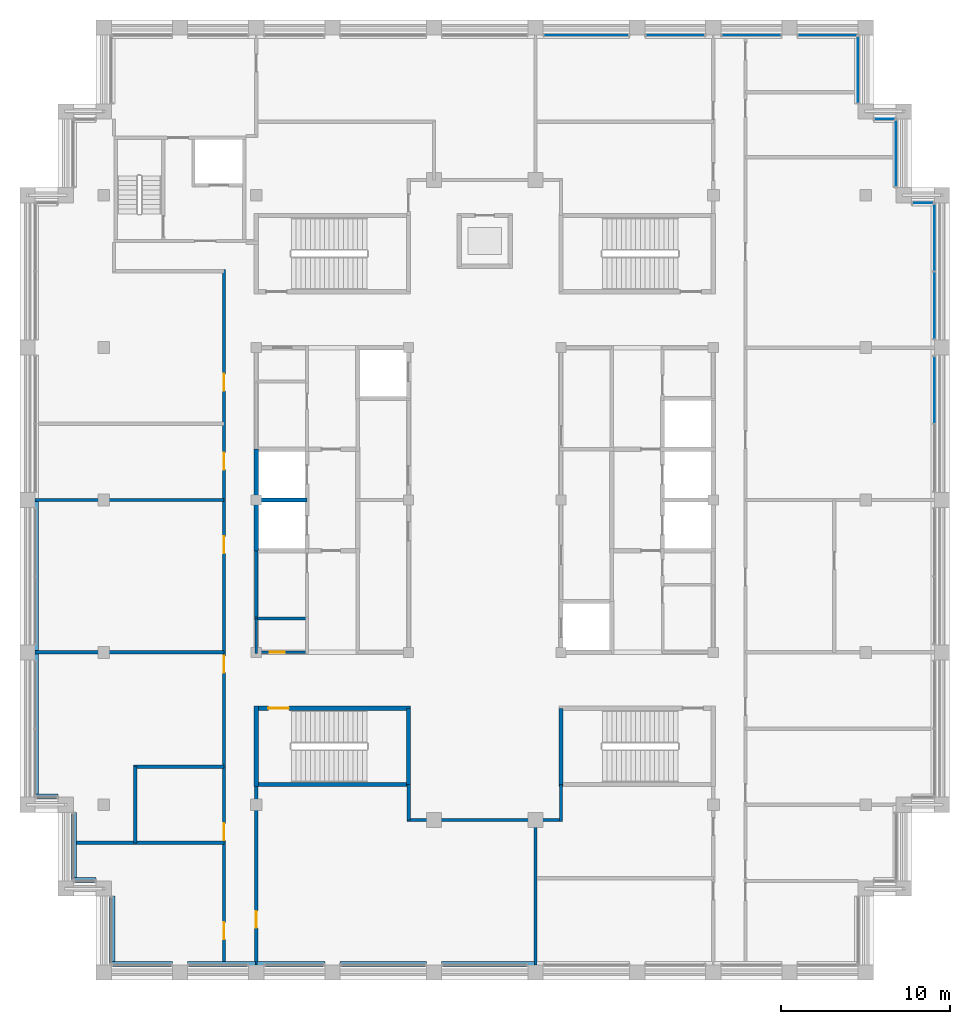
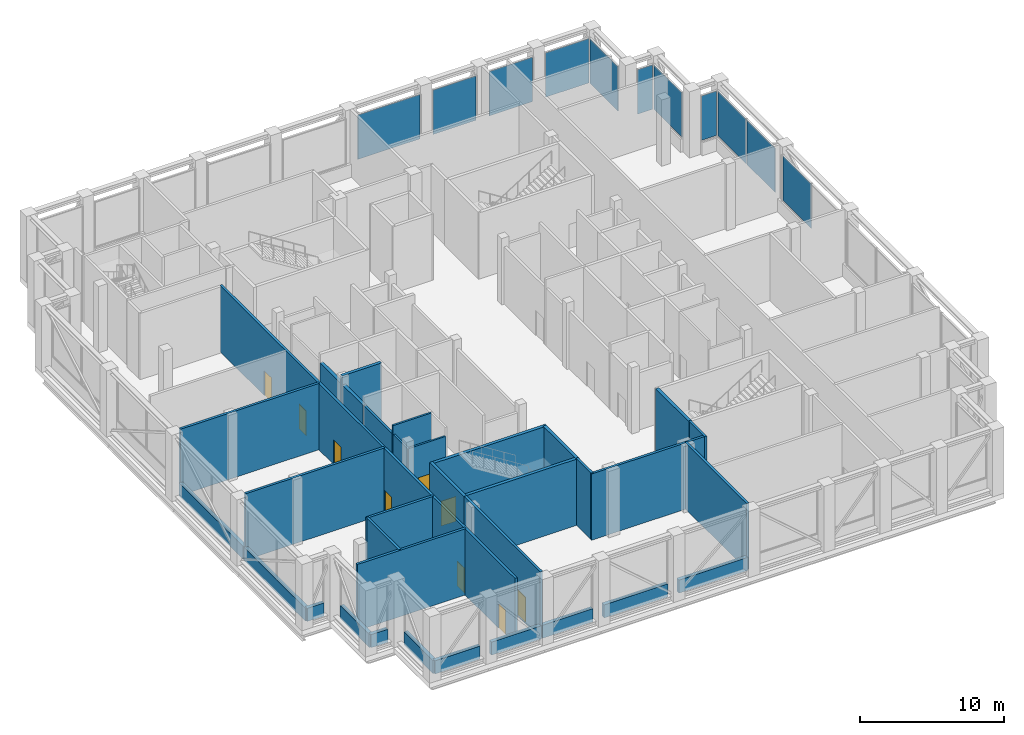
# One storey, part 11 of 17: 33 walls, 11 plates, 9 doors, 9 openings, 10 elements without a shape of their own.
"""IFC4 building model written with IfcOpenShell, lengths in metres."""

from ifc_helpers import new_model, si_unit, direction, frame, frame_2d, origin, origin_2d, place, context, subcontext, project, spatial, rectangle, extrude, material, layer, layer_set, type_object, element, fill, aggregate, save


model = new_model("IFC4")

# Units and contexts
model_context = context("Model", 3, precision=1e-05, world=origin(), true_north=direction((0.0, 1.0)))
body_context = subcontext(model_context, "Body", "Model", "MODEL_VIEW")
ifc_project = project(units=[si_unit("LENGTHUNIT", "METRE"), si_unit("AREAUNIT", "SQUARE_METRE"), si_unit("VOLUMEUNIT", "CUBIC_METRE"), si_unit("PLANEANGLEUNIT", "RADIAN"), si_unit("MASSUNIT", "GRAM", prefix="KILO")], contexts=[model_context])

# Site, building, storey
site_placement = place(None, origin())
site = spatial("IfcSite", under=ifc_project, at=site_placement, CompositionType="ELEMENT")
building_placement = place(site_placement, origin())
building = spatial("IfcBuilding", under=site, at=building_placement, Name="Corbelhall Arena Tower", CompositionType="ELEMENT")
storey_placement = place(building_placement, frame((0.0, 0.0, 350.0)))
storey = spatial("IfcBuildingStorey", under=building, at=storey_placement, Name="L77", CompositionType="ELEMENT", Elevation=350.0)

# Curtain wall, plate
ifc_material_1 = material(Name="Aluminium black anodised", Category="aluminium")
ifc_layer_1 = layer(ifc_material_1, 0.199951171875)
ifc_layer_set_1 = layer_set([ifc_layer_1], Name="EV-CW5 Sky band glazing")
curtain_wall_type = type_object("IfcCurtainWallType", Name="EV-CW5 Sky band glazing", PredefinedType="NOTDEFINED", material=ifc_layer_set_1)
curtain_wall_1_placement = place(storey_placement, origin())
curtain_wall_1 = element("IfcCurtainWall", 1, at=curtain_wall_1_placement, inside=storey, type_object=curtain_wall_type, Name="Curtain wall CW5", PredefinedType="NOTDEFINED")
ifc_material_2 = material(Name="Insulated metal panel black anodised")
ifc_layer_2 = layer(ifc_material_2, 0.028076171875)
ifc_layer_set_2 = layer_set([ifc_layer_2], Name="EV-CW5-OPAQUE")
plate_type = type_object("IfcPlateType", Name="EV-CW5-OPAQUE", PredefinedType="CURTAIN_PANEL", material=ifc_layer_set_2)
plate_1_placement = place(storey_placement, frame((26.550048828125, 6.50634765625, 1.175048828125), z_axis=(0.0, 0.0, 1.0), x_axis=(0.0, 1.0, 0.0)))
plate_1 = element("IfcPlate", 2, at=plate_1_placement, type_object=plate_type, Name="CW5 panel 2.1", PredefinedType="CURTAIN_PANEL", context=body_context, shape_type="SweptSolid", body=[
    extrude(rectangle(XDim=3.9375, YDim=0.028076171875, at=origin_2d()), origin(), (0.0, 0.0, 1.0), 3.74951171875),
])
aggregate(curtain_wall_1, [plate_1])

# Curtain wall, plates
curtain_wall_2_placement = place(storey_placement, origin())
curtain_wall_2 = element("IfcCurtainWall", 3, at=curtain_wall_2_placement, inside=storey, type_object=curtain_wall_type, Name="Curtain wall CW5", PredefinedType="NOTDEFINED")
plate_2_placement = place(storey_placement, frame((26.550048828125, 11.49365234375, 1.175048828125), z_axis=(0.0, 0.0, 1.0), x_axis=(0.0, 1.0, 0.0)))
plate_2 = element("IfcPlate", 4, at=plate_2_placement, type_object=plate_type, Name="CW5 panel 1.1", PredefinedType="CURTAIN_PANEL", context=body_context, shape_type="SweptSolid", body=[
    extrude(rectangle(XDim=3.9375, YDim=0.028076171875, at=origin_2d()), origin(), (0.0, 0.0, 1.0), 3.74951171875),
])
plate_3_placement = place(storey_placement, frame((26.550048828125, 15.50634765625, 1.175048828125), z_axis=(0.0, 0.0, 1.0), x_axis=(0.0, 1.0, 0.0)))
plate_3 = element("IfcPlate", 5, at=plate_3_placement, type_object=plate_type, Name="CW5 panel 2.1", PredefinedType="CURTAIN_PANEL", context=body_context, shape_type="SweptSolid", body=[
    extrude(rectangle(XDim=3.9375, YDim=0.028076171875, at=origin_2d()), origin(), (0.0, 0.0, 1.0), 3.74951171875),
])
aggregate(curtain_wall_2, [plate_2, plate_3])

# Curtain wall, plate
curtain_wall_3_placement = place(storey_placement, origin())
curtain_wall_3 = element("IfcCurtainWall", 6, at=curtain_wall_3_placement, inside=storey, type_object=curtain_wall_type, Name="Curtain wall CW5B", PredefinedType="NOTDEFINED")
plate_4_placement = place(storey_placement, frame((25.875, 17.550048828125, 1.175048828125), z_axis=(0.0, 0.0, 1.0), x_axis=(-1.0, 0.0, 0.0)))
plate_4 = element("IfcPlate", 7, at=plate_4_placement, type_object=plate_type, Name="CW5B panel 1.1", PredefinedType="CURTAIN_PANEL", context=body_context, shape_type="SweptSolid", body=[
    extrude(rectangle(XDim=1.199951171875, YDim=0.028076171875, at=origin_2d()), origin(), (0.0, 0.0, 1.0), 3.74951171875),
])
aggregate(curtain_wall_3, [plate_4])

curtain_wall_4_placement = place(storey_placement, origin())
curtain_wall_4 = element("IfcCurtainWall", 8, at=curtain_wall_4_placement, inside=storey, type_object=curtain_wall_type, Name="Curtain wall CW5", PredefinedType="NOTDEFINED")
plate_5_placement = place(storey_placement, frame((24.300048828125, 20.47509765625, 1.175048828125), z_axis=(0.0, 0.0, 1.0), x_axis=(0.0, 1.0, 0.0)))
plate_5 = element("IfcPlate", 9, at=plate_5_placement, type_object=plate_type, Name="CW5 panel 1.1", PredefinedType="CURTAIN_PANEL", context=body_context, shape_type="SweptSolid", body=[
    extrude(rectangle(XDim=3.89990234375, YDim=0.028076171875, at=origin_2d()), origin(), (0.0, 0.0, 1.0), 3.74951171875),
])
aggregate(curtain_wall_4, [plate_5])

curtain_wall_5_placement = place(storey_placement, origin())
curtain_wall_5 = element("IfcCurtainWall", 10, at=curtain_wall_5_placement, inside=storey, type_object=curtain_wall_type, Name="Curtain wall CW5B", PredefinedType="NOTDEFINED")
plate_6_placement = place(storey_placement, frame((23.625, 22.5, 1.175048828125), z_axis=(0.0, 0.0, 1.0), x_axis=(-1.0, 0.0, 0.0)))
plate_6 = element("IfcPlate", 11, at=plate_6_placement, type_object=plate_type, Name="CW5B panel 1.1", PredefinedType="CURTAIN_PANEL", context=body_context, shape_type="SweptSolid", body=[
    extrude(rectangle(XDim=1.199951171875, YDim=0.028076171875, at=origin_2d()), origin(), (0.0, 0.0, 1.0), 3.74951171875),
])
aggregate(curtain_wall_5, [plate_6])

curtain_wall_6_placement = place(storey_placement, origin())
curtain_wall_6 = element("IfcCurtainWall", 12, at=curtain_wall_6_placement, inside=storey, type_object=curtain_wall_type, Name="Curtain wall CW5", PredefinedType="NOTDEFINED")
plate_7_placement = place(storey_placement, frame((22.050048828125, 25.425048828125, 1.175048828125), z_axis=(0.0, 0.0, 1.0), x_axis=(0.0, 1.0, 0.0)))
plate_7 = element("IfcPlate", 13, at=plate_7_placement, type_object=plate_type, Name="CW5 panel 1.1", PredefinedType="CURTAIN_PANEL", context=body_context, shape_type="SweptSolid", body=[
    extrude(rectangle(XDim=3.89990234375, YDim=0.028076171875, at=origin_2d()), origin(), (0.0, 0.0, 1.0), 3.74951171875),
])
aggregate(curtain_wall_6, [plate_7])

curtain_wall_7_placement = place(storey_placement, origin())
curtain_wall_7 = element("IfcCurtainWall", 14, at=curtain_wall_7_placement, inside=storey, type_object=curtain_wall_type, Name="Curtain wall CW5A", PredefinedType="NOTDEFINED")
plate_8_placement = place(storey_placement, frame((20.25, 27.449951171875, 1.175048828125), z_axis=(0.0, 0.0, 1.0), x_axis=(-1.0, 0.0, 0.0)))
plate_8 = element("IfcPlate", 15, at=plate_8_placement, type_object=plate_type, Name="CW5A panel 1.1", PredefinedType="CURTAIN_PANEL", context=body_context, shape_type="SweptSolid", body=[
    extrude(rectangle(XDim=3.449951171875, YDim=0.028076171875, at=origin_2d()), origin(), (0.0, 0.0, 1.0), 3.74951171875),
])
aggregate(curtain_wall_7, [plate_8])

curtain_wall_8_placement = place(storey_placement, origin())
curtain_wall_8 = element("IfcCurtainWall", 16, at=curtain_wall_8_placement, inside=storey, type_object=curtain_wall_type, Name="Curtain wall CW5A", PredefinedType="NOTDEFINED")
plate_9_placement = place(storey_placement, frame((15.75, 27.449951171875, 1.175048828125), z_axis=(0.0, 0.0, 1.0), x_axis=(-1.0, 0.0, 0.0)))
plate_9 = element("IfcPlate", 17, at=plate_9_placement, type_object=plate_type, Name="CW5A panel 1.1", PredefinedType="CURTAIN_PANEL", context=body_context, shape_type="SweptSolid", body=[
    extrude(rectangle(XDim=3.449951171875, YDim=0.028076171875, at=origin_2d()), origin(), (0.0, 0.0, 1.0), 3.74951171875),
])
aggregate(curtain_wall_8, [plate_9])

curtain_wall_9_placement = place(storey_placement, origin())
curtain_wall_9 = element("IfcCurtainWall", 18, at=curtain_wall_9_placement, inside=storey, type_object=curtain_wall_type, Name="Curtain wall CW5A", PredefinedType="NOTDEFINED")
plate_10_placement = place(storey_placement, frame((11.25, 27.449951171875, 1.175048828125), z_axis=(0.0, 0.0, 1.0), x_axis=(-1.0, 0.0, 0.0)))
plate_10 = element("IfcPlate", 19, at=plate_10_placement, type_object=plate_type, Name="CW5A panel 1.1", PredefinedType="CURTAIN_PANEL", context=body_context, shape_type="SweptSolid", body=[
    extrude(rectangle(XDim=3.449951171875, YDim=0.028076171875, at=origin_2d()), origin(), (0.0, 0.0, 1.0), 3.74951171875),
])
aggregate(curtain_wall_9, [plate_10])

curtain_wall_10_placement = place(storey_placement, origin())
curtain_wall_10 = element("IfcCurtainWall", 20, at=curtain_wall_10_placement, inside=storey, type_object=curtain_wall_type, Name="Curtain wall CW5C", PredefinedType="NOTDEFINED")
plate_11_placement = place(storey_placement, frame((6.0, 27.449951171875, 1.175048828125), z_axis=(0.0, 0.0, 1.0), x_axis=(-1.0, 0.0, 0.0)))
plate_11 = element("IfcPlate", 21, at=plate_11_placement, type_object=plate_type, Name="CW5C panel 1.1", PredefinedType="CURTAIN_PANEL", context=body_context, shape_type="SweptSolid", body=[
    extrude(rectangle(XDim=4.949951171875, YDim=0.028076171875, at=origin_2d()), origin(), (0.0, 0.0, 1.0), 3.74951171875),
])
aggregate(curtain_wall_10, [plate_11])

# Walls
ifc_material_3 = material(Name="Precast concrete C40/50 with granite facing", Category="masonry")
ifc_layer_3 = layer(ifc_material_3, 0.300048828125)
ifc_layer_set_3 = layer_set([ifc_layer_3], Name="EV-IW1 Infill panel 300")
wall_type_1 = type_object("IfcWallType", Name="EV-IW1 Infill panel 300", PredefinedType="SOLIDWALL", material=ifc_layer_set_3)
wall_1_placement = place(storey_placement, frame((-26.5, -0.050048828125, 0.0), z_axis=(0.0, 0.0, 1.0), x_axis=(0.0, -1.0, 0.0)))
element("IfcWall", 22, at=wall_1_placement, inside=storey, type_object=wall_type_1, Name="Infill panel IW1", PredefinedType="SOLIDWALL", context=body_context, shape_type="SweptSolid", body=[
    extrude(rectangle(XDim=8.89990234375, YDim=0.300048828125, at=frame_2d((4.449951171875, 0.0))), origin(), (0.0, 0.0, 1.0), 1.10009765625),
])
wall_2_placement = place(storey_placement, frame((-26.5, -9.050048828125, 0.0), z_axis=(0.0, 0.0, 1.0), x_axis=(0.0, -1.0, 0.0)))
element("IfcWall", 23, at=wall_2_placement, inside=storey, type_object=wall_type_1, Name="Infill panel IW1", PredefinedType="SOLIDWALL", context=body_context, shape_type="SweptSolid", body=[
    extrude(rectangle(XDim=8.5, YDim=0.300048828125, at=frame_2d((4.25, 0.0))), origin(), (0.0, 0.0, 1.0), 1.10009765625),
])
wall_3_placement = place(storey_placement, frame((-26.550048828125, -17.5, 0.0), z_axis=(0.0, 0.0, 1.0), x_axis=(1.0, 0.0, 0.0)))
element("IfcWall", 24, at=wall_3_placement, inside=storey, type_object=wall_type_1, Name="Infill panel IW1", PredefinedType="SOLIDWALL", context=body_context, shape_type="SweptSolid", body=[
    extrude(rectangle(XDim=1.35009765625, YDim=0.300048828125, at=frame_2d((0.675048828125, 0.0))), origin(), (0.0, 0.0, 1.0), 1.10009765625),
])
wall_4_placement = place(storey_placement, frame((-24.25, -18.449951171875, 0.0), z_axis=(0.0, 0.0, 1.0), x_axis=(0.0, -1.0, 0.0)))
element("IfcWall", 25, at=wall_4_placement, inside=storey, type_object=wall_type_1, Name="Infill panel IW1", PredefinedType="SOLIDWALL", context=body_context, shape_type="SweptSolid", body=[
    extrude(rectangle(XDim=4.050048828125, YDim=0.300048828125, at=frame_2d((2.02490234375, 0.0))), origin(), (0.0, 0.0, 1.0), 1.10009765625),
])
wall_5_placement = place(storey_placement, frame((-24.300048828125, -22.449951171875, 0.0), z_axis=(0.0, 0.0, 1.0), x_axis=(1.0, 0.0, 0.0)))
element("IfcWall", 26, at=wall_5_placement, inside=storey, type_object=wall_type_1, Name="Infill panel IW1", PredefinedType="SOLIDWALL", context=body_context, shape_type="SweptSolid", body=[
    extrude(rectangle(XDim=1.35009765625, YDim=0.300048828125, at=frame_2d((0.675048828125, 0.0))), origin(), (0.0, 0.0, 1.0), 1.10009765625),
])
wall_6_placement = place(storey_placement, frame((-22.0, -23.39990234375, 0.0), z_axis=(0.0, 0.0, 1.0), x_axis=(0.0, -1.0, 0.0)))
element("IfcWall", 27, at=wall_6_placement, inside=storey, type_object=wall_type_1, Name="Infill panel IW1", PredefinedType="SOLIDWALL", context=body_context, shape_type="SweptSolid", body=[
    extrude(rectangle(XDim=4.050048828125, YDim=0.300048828125, at=frame_2d((2.02490234375, 0.0))), origin(), (0.0, 0.0, 1.0), 1.10009765625),
])
wall_7_placement = place(storey_placement, frame((-22.050048828125, -27.39990234375, 0.0), z_axis=(0.0, 0.0, 1.0), x_axis=(1.0, 0.0, 0.0)))
element("IfcWall", 28, at=wall_7_placement, inside=storey, type_object=wall_type_1, Name="Infill panel IW1", PredefinedType="SOLIDWALL", context=body_context, shape_type="SweptSolid", body=[
    extrude(rectangle(XDim=3.60009765625, YDim=0.300048828125, at=frame_2d((1.800048828125, 0.0))), origin(), (0.0, 0.0, 1.0), 1.10009765625),
])
for number, where, z_axis, x_axis, name in (
    (29, (-17.550048828125, -27.39990234375, 0.0), (0.0, 0.0, 1.0), (1.0, 0.0, 0.0), "Infill panel IW1"),
    (30, (-13.449951171875, -27.39990234375, 0.0), (0.0, 0.0, 1.0), (1.0, 0.0, 0.0), "Infill panel IW1"),
):
    element("IfcWall", number, at=place(storey_placement, frame(where, z_axis=z_axis, x_axis=x_axis)), inside=storey, type_object=wall_type_1, Name=name, PredefinedType="SOLIDWALL", context=body_context, shape_type="SweptSolid", body=[
        extrude(rectangle(XDim=4.0, YDim=0.300048828125, at=frame_2d((2.0, 0.0))), origin(), (0.0, 0.0, 1.0), 1.10009765625),
    ])
wall_8_placement = place(storey_placement, frame((-8.550048828125, -27.39990234375, 0.0), z_axis=(0.0, 0.0, 1.0), x_axis=(1.0, 0.0, 0.0)))
element("IfcWall", 31, at=wall_8_placement, inside=storey, type_object=wall_type_1, Name="Infill panel IW1", PredefinedType="SOLIDWALL", context=body_context, shape_type="SweptSolid", body=[
    extrude(rectangle(XDim=5.10009765625, YDim=0.300048828125, at=frame_2d((2.550048828125, 0.0))), origin(), (0.0, 0.0, 1.0), 1.10009765625),
])
wall_9_placement = place(storey_placement, frame((-2.550048828125, -27.39990234375, 0.0), z_axis=(0.0, 0.0, 1.0), x_axis=(1.0, 0.0, 0.0)))
element("IfcWall", 32, at=wall_9_placement, inside=storey, type_object=wall_type_1, Name="Infill panel IW1", PredefinedType="SOLIDWALL", context=body_context, shape_type="SweptSolid", body=[
    extrude(rectangle(XDim=5.5, YDim=0.300048828125, at=frame_2d((2.75, 0.0))), origin(), (0.0, 0.0, 1.0), 1.10009765625),
])
ifc_material_4 = material(Name="Gypsum board on steel stud, acoustic", Category="steel")
ifc_layer_4 = layer(ifc_material_4, 0.199951171875)
ifc_layer_set_4 = layer_set([ifc_layer_4], Name="IN-W-DM200")
wall_type_2 = type_object("IfcWallType", Name="IN-W-DM200", PredefinedType="PARTITIONING", material=ifc_layer_set_4)
wall_10_placement = place(storey_placement, frame((-26.550048828125, -9.0, 0.0), z_axis=(0.0, 0.0, 1.0), x_axis=(1.0, 0.0, 0.0)))
element("IfcWall", 33, at=wall_10_placement, inside=storey, type_object=wall_type_2, Name="Partition 001", PredefinedType="PARTITIONING", context=body_context, shape_type="SweptSolid", body=[
    extrude(rectangle(XDim=11.150146484375, YDim=0.199951171875, at=frame_2d((5.5751953125, 0.0))), origin(), (0.0, 0.0, 1.0), 5.599609375),
])
wall_11_placement = place(storey_placement, frame((-24.10009765625, -20.25, 0.0), z_axis=(0.0, 0.0, 1.0), x_axis=(1.0, 0.0, 0.0)))
element("IfcWall", 34, at=wall_11_placement, inside=storey, type_object=wall_type_2, Name="Partition 003", PredefinedType="PARTITIONING", context=body_context, shape_type="SweptSolid", body=[
    extrude(rectangle(XDim=8.7001953125, YDim=0.199951171875, at=frame_2d((4.35009765625, 0.0))), origin(), (0.0, 0.0, 1.0), 5.599609375),
])
wall_12_placement = place(storey_placement, frame((-20.75, -15.75, 0.0), z_axis=(0.0, 0.0, 1.0), x_axis=(1.0, 0.0, 0.0)))
element("IfcWall", 35, at=wall_12_placement, inside=storey, type_object=wall_type_2, Name="Partition 006", PredefinedType="PARTITIONING", context=body_context, shape_type="SweptSolid", body=[
    extrude(rectangle(XDim=5.35009765625, YDim=0.199951171875, at=frame_2d((2.675048828125, 0.0))), origin(), (0.0, 0.0, 1.0), 5.599609375),
])
wall_13_placement = place(storey_placement, frame((-20.64990234375, -20.25, 0.0), z_axis=(0.0, 0.0, 1.0), x_axis=(0.0, 1.0, 0.0)))
element("IfcWall", 36, at=wall_13_placement, inside=storey, type_object=wall_type_2, Name="Partition 007", PredefinedType="PARTITIONING", context=body_context, shape_type="SweptSolid", body=[
    extrude(rectangle(XDim=4.5, YDim=0.199951171875, at=frame_2d((2.25, 0.0))), origin(), (0.0, 0.0, 1.0), 5.599609375),
])

# Wall, openings, doors
wall_14_placement = place(storey_placement, frame((-15.39990234375, -27.25, 0.0), z_axis=(0.0, 0.0, 1.0), x_axis=(0.0, 1.0, 0.0)))
wall_14 = element("IfcWall", 37, at=wall_14_placement, inside=storey, type_object=wall_type_2, Name="Partition 008", PredefinedType="PARTITIONING", context=body_context, shape_type="SweptSolid", body=[
    extrude(rectangle(XDim=40.85009765625, YDim=0.199951171875, at=frame_2d((20.425048828125, 0.0))), origin(), (0.0, 0.0, 1.0), 5.599609375),
])
opening_1_placement = place(wall_14_placement, frame((29.050048828125, 0.0, 0.0)))
opening_1 = element("IfcOpeningElement", 38, at=opening_1_placement, cuts=wall_14, Name="Opening 31026", PredefinedType="OPENING", context=body_context, shape_type="SweptSolid", body=[
    extrude(rectangle(XDim=1.0, YDim=2.10009765625, at=frame_2d((0.5, 1.050048828125))), frame((0.0, 0.10009765625, 0.0), z_axis=(0.0, -1.0, 0.0), x_axis=(1.0, 0.0, 0.0)), (0.0, 0.0, 1.0), 0.199951171875),
])
opening_2_placement = place(wall_14_placement, frame((33.699951171875, 0.0, 0.0)))
opening_2 = element("IfcOpeningElement", 39, at=opening_2_placement, cuts=wall_14, Name="Opening 31027", PredefinedType="OPENING", context=body_context, shape_type="SweptSolid", body=[
    extrude(rectangle(XDim=1.0, YDim=2.10009765625, at=frame_2d((0.5, 1.050048828125))), frame((0.0, 0.10009765625, 0.0), z_axis=(0.0, -1.0, 0.0), x_axis=(1.0, 0.0, 0.0)), (0.0, 0.0, 1.0), 0.199951171875),
])
opening_3_placement = place(wall_14_placement, frame((1.300048828125, 0.0, 0.0)))
opening_3 = element("IfcOpeningElement", 40, at=opening_3_placement, cuts=wall_14, Name="Opening 31028", PredefinedType="OPENING", context=body_context, shape_type="SweptSolid", body=[
    extrude(rectangle(XDim=1.0, YDim=2.10009765625, at=frame_2d((0.5, 1.050048828125))), frame((0.0, 0.10009765625, 0.0), z_axis=(0.0, -1.0, 0.0), x_axis=(1.0, 0.0, 0.0)), (0.0, 0.0, 1.0), 0.199951171875),
])
opening_4_placement = place(wall_14_placement, frame((7.14990234375, 0.0, 0.0)))
opening_4 = element("IfcOpeningElement", 41, at=opening_4_placement, cuts=wall_14, Name="Opening 31029", PredefinedType="OPENING", context=body_context, shape_type="SweptSolid", body=[
    extrude(rectangle(XDim=1.0, YDim=2.10009765625, at=frame_2d((0.5, 1.050048828125))), frame((0.0, 0.10009765625, 0.0), z_axis=(0.0, -1.0, 0.0), x_axis=(1.0, 0.0, 0.0)), (0.0, 0.0, 1.0), 0.199951171875),
])
opening_5_placement = place(wall_14_placement, frame((17.050048828125, 0.0, 0.0)))
opening_5 = element("IfcOpeningElement", 42, at=opening_5_placement, cuts=wall_14, Name="Opening 31030", PredefinedType="OPENING", context=body_context, shape_type="SweptSolid", body=[
    extrude(rectangle(XDim=1.0, YDim=2.10009765625, at=frame_2d((0.5, 1.050048828125))), frame((0.0, 0.10009765625, 0.0), z_axis=(0.0, -1.0, 0.0), x_axis=(1.0, 0.0, 0.0)), (0.0, 0.0, 1.0), 0.199951171875),
])
opening_6_placement = place(wall_14_placement, frame((24.10009765625, 0.0, 0.0)))
opening_6 = element("IfcOpeningElement", 43, at=opening_6_placement, cuts=wall_14, Name="Opening 31031", PredefinedType="OPENING", context=body_context, shape_type="SweptSolid", body=[
    extrude(rectangle(XDim=1.0, YDim=2.10009765625, at=frame_2d((0.5, 1.050048828125))), frame((0.0, 0.10009765625, 0.0), z_axis=(0.0, -1.0, 0.0), x_axis=(1.0, 0.0, 0.0)), (0.0, 0.0, 1.0), 0.199951171875),
])
ifc_material_5 = material(Name="Steel door set", Category="steel")
door_type_1 = type_object("IfcDoorType", Name="IN-D-SW100", OperationType="NOTDEFINED", PredefinedType="DOOR", material=ifc_material_5)
door_1_placement = place(opening_1_placement, origin())
door_1 = element("IfcDoor", 44, at=door_1_placement, inside=storey, type_object=door_type_1, Name="Door 026", OperationType="SINGLE_SWING_LEFT", OverallHeight=2.10009765625, OverallWidth=1.0, PredefinedType="DOOR", context=body_context, shape_type="SweptSolid", body=[
    extrude(rectangle(XDim=1.0, YDim=2.10009765625, at=frame_2d((0.5, 1.050048828125))), frame((0.0, 0.02490234375, 0.0), z_axis=(0.0, -1.0, 0.0), x_axis=(1.0, 0.0, 0.0)), (0.0, 0.0, 1.0), 0.050048828125),
])
fill(opening_1, door_1)
door_2_placement = place(opening_2_placement, origin())
door_2 = element("IfcDoor", 45, at=door_2_placement, inside=storey, type_object=door_type_1, Name="Door 027", OperationType="SINGLE_SWING_RIGHT", OverallHeight=2.10009765625, OverallWidth=1.0, PredefinedType="DOOR", context=body_context, shape_type="SweptSolid", body=[
    extrude(rectangle(XDim=1.0, YDim=2.10009765625, at=frame_2d((0.5, 1.050048828125))), frame((0.0, 0.02490234375, 0.0), z_axis=(0.0, -1.0, 0.0), x_axis=(1.0, 0.0, 0.0)), (0.0, 0.0, 1.0), 0.050048828125),
])
fill(opening_2, door_2)
door_3_placement = place(opening_3_placement, origin())
door_3 = element("IfcDoor", 46, at=door_3_placement, inside=storey, type_object=door_type_1, Name="Door 028", OperationType="SINGLE_SWING_LEFT", OverallHeight=2.10009765625, OverallWidth=1.0, PredefinedType="DOOR", context=body_context, shape_type="SweptSolid", body=[
    extrude(rectangle(XDim=1.0, YDim=2.10009765625, at=frame_2d((0.5, 1.050048828125))), frame((0.0, 0.02490234375, 0.0), z_axis=(0.0, -1.0, 0.0), x_axis=(1.0, 0.0, 0.0)), (0.0, 0.0, 1.0), 0.050048828125),
])
fill(opening_3, door_3)
door_4_placement = place(opening_4_placement, origin())
door_4 = element("IfcDoor", 47, at=door_4_placement, inside=storey, type_object=door_type_1, Name="Door 029", OperationType="SINGLE_SWING_RIGHT", OverallHeight=2.10009765625, OverallWidth=1.0, PredefinedType="DOOR", context=body_context, shape_type="SweptSolid", body=[
    extrude(rectangle(XDim=1.0, YDim=2.10009765625, at=frame_2d((0.5, 1.050048828125))), frame((0.0, 0.02490234375, 0.0), z_axis=(0.0, -1.0, 0.0), x_axis=(1.0, 0.0, 0.0)), (0.0, 0.0, 1.0), 0.050048828125),
])
fill(opening_4, door_4)
door_5_placement = place(opening_5_placement, origin())
door_5 = element("IfcDoor", 48, at=door_5_placement, inside=storey, type_object=door_type_1, Name="Door 030", OperationType="SINGLE_SWING_LEFT", OverallHeight=2.10009765625, OverallWidth=1.0, PredefinedType="DOOR", context=body_context, shape_type="SweptSolid", body=[
    extrude(rectangle(XDim=1.0, YDim=2.10009765625, at=frame_2d((0.5, 1.050048828125))), frame((0.0, 0.02490234375, 0.0), z_axis=(0.0, -1.0, 0.0), x_axis=(1.0, 0.0, 0.0)), (0.0, 0.0, 1.0), 0.050048828125),
])
fill(opening_5, door_5)
door_6_placement = place(opening_6_placement, origin())
door_6 = element("IfcDoor", 49, at=door_6_placement, inside=storey, type_object=door_type_1, Name="Door 031", OperationType="SINGLE_SWING_RIGHT", OverallHeight=2.10009765625, OverallWidth=1.0, PredefinedType="DOOR", context=body_context, shape_type="SweptSolid", body=[
    extrude(rectangle(XDim=1.0, YDim=2.10009765625, at=frame_2d((0.5, 1.050048828125))), frame((0.0, 0.02490234375, 0.0), z_axis=(0.0, -1.0, 0.0), x_axis=(1.0, 0.0, 0.0)), (0.0, 0.0, 1.0), 0.050048828125),
])
fill(opening_6, door_6)

# Wall
wall_15_placement = place(storey_placement, frame((-15.39990234375, 0.0, 0.0), z_axis=(0.0, 0.0, 1.0), x_axis=(-1.0, 0.0, 0.0)))
element("IfcWall", 50, at=wall_15_placement, inside=storey, type_object=wall_type_2, Name="Partition 009", PredefinedType="PARTITIONING", context=body_context, shape_type="SweptSolid", body=[
    extrude(rectangle(XDim=11.150146484375, YDim=0.199951171875, at=frame_2d((5.5751953125, 0.0))), origin(), (0.0, 0.0, 1.0), 5.599609375),
])

# Wall, opening, door
wall_16_placement = place(storey_placement, frame((-13.5, -16.675048828125, 0.0), z_axis=(0.0, 0.0, 1.0), x_axis=(0.0, -1.0, 0.0)))
wall_16 = element("IfcWall", 51, at=wall_16_placement, inside=storey, type_object=wall_type_2, Name="Partition 012", PredefinedType="PARTITIONING", context=body_context, shape_type="SweptSolid", body=[
    extrude(rectangle(XDim=10.77490234375, YDim=0.199951171875, at=frame_2d((5.387451171875, 0.0))), origin(), (0.0, 0.0, 1.0), 5.599609375),
])
opening_7_placement = place(wall_16_placement, frame((7.60009765625, 0.0, 0.0)))
opening_7 = element("IfcOpeningElement", 52, at=opening_7_placement, cuts=wall_16, Name="Opening 31023", PredefinedType="OPENING", context=body_context, shape_type="SweptSolid", body=[
    extrude(rectangle(XDim=1.0, YDim=2.10009765625, at=frame_2d((0.5, 1.050048828125))), frame((0.0, 0.10009765625, 0.0), z_axis=(0.0, -1.0, 0.0), x_axis=(1.0, 0.0, 0.0)), (0.0, 0.0, 1.0), 0.199951171875),
])
door_7_placement = place(opening_7_placement, origin())
door_7 = element("IfcDoor", 53, at=door_7_placement, inside=storey, type_object=door_type_1, Name="Door 023", OperationType="SINGLE_SWING_RIGHT", OverallHeight=2.10009765625, OverallWidth=1.0, PredefinedType="DOOR", context=body_context, shape_type="SweptSolid", body=[
    extrude(rectangle(XDim=1.0, YDim=2.10009765625, at=frame_2d((0.5, 1.050048828125))), frame((0.0, 0.02490234375, 0.0), z_axis=(0.0, -1.0, 0.0), x_axis=(1.0, 0.0, 0.0)), (0.0, 0.0, 1.0), 0.050048828125),
])
fill(opening_7, door_7)

# Walls
wall_17_placement = place(storey_placement, frame((-4.5, -18.89990234375, 0.0), z_axis=(0.0, 0.0, 1.0), x_axis=(0.0, 1.0, 0.0)))
element("IfcWall", 54, at=wall_17_placement, inside=storey, type_object=wall_type_2, Name="Partition 016", PredefinedType="PARTITIONING", context=body_context, shape_type="SweptSolid", body=[
    extrude(rectangle(XDim=2.099853515625, YDim=0.199951171875, at=frame_2d((1.0498046875, 0.0))), origin(), (0.0, 0.0, 1.0), 5.599609375),
])
wall_18_placement = place(storey_placement, frame((4.5, -18.89990234375, 0.0), z_axis=(0.0, 0.0, 1.0), x_axis=(-1.0, 0.0, 0.0)))
element("IfcWall", 55, at=wall_18_placement, inside=storey, type_object=wall_type_2, Name="Partition 019", PredefinedType="PARTITIONING", context=body_context, shape_type="SweptSolid", body=[
    extrude(rectangle(XDim=9.10009765625, YDim=0.199951171875, at=frame_2d((4.550048828125, 0.0))), origin(), (0.0, 0.0, 1.0), 5.599609375),
])
wall_19_placement = place(storey_placement, frame((3.0, -18.89990234375, 0.0), z_axis=(0.0, 0.0, 1.0), x_axis=(0.0, -1.0, 0.0)))
element("IfcWall", 56, at=wall_19_placement, inside=storey, type_object=wall_type_2, Name="Partition 022", PredefinedType="PARTITIONING", context=body_context, shape_type="SweptSolid", body=[
    extrude(rectangle(XDim=8.550048828125, YDim=0.199951171875, at=frame_2d((4.27490234375, 0.0))), origin(), (0.0, 0.0, 1.0), 5.599609375),
])
wall_20_placement = place(storey_placement, frame((4.5, -16.800048828125, 0.0), z_axis=(0.0, 0.0, 1.0), x_axis=(0.0, -1.0, 0.0)))
element("IfcWall", 57, at=wall_20_placement, inside=storey, type_object=wall_type_2, Name="Partition 025", PredefinedType="PARTITIONING", context=body_context, shape_type="SweptSolid", body=[
    extrude(rectangle(XDim=2.199951171875, YDim=0.199951171875, at=frame_2d((1.10009765625, 0.0))), origin(), (0.0, 0.0, 1.0), 5.599609375),
])
ifc_material_6 = material(Name="Concrete block wall", Category="concrete")
ifc_layer_5 = layer(ifc_material_6, 0.199951171875)
ifc_layer_set_5 = layer_set([ifc_layer_5], Name="IN-W-RS200 under beam 762 mm")
wall_type_3 = type_object("IfcWallType", Name="IN-W-RS200 under beam 762 mm", PredefinedType="SOLIDWALL", material=ifc_layer_set_5)
wall_21_placement = place(storey_placement, frame((-13.5, -7.0, 0.0), z_axis=(0.0, 0.0, 1.0), x_axis=(0.0, 1.0, 0.0)))
element("IfcWall", 58, at=wall_21_placement, inside=storey, type_object=wall_type_3, Name="Partition 039", PredefinedType="SOLIDWALL", context=body_context, shape_type="SweptSolid", body=[
    extrude(rectangle(XDim=4.0, YDim=0.199951171875, at=frame_2d((2.0, 0.0))), origin(), (0.0, 0.0, 1.0), 4.837646484375),
])
ifc_material_7 = material(Name="Concrete C40/50", Category="concrete")
ifc_layer_6 = layer(ifc_material_7, 0.25)
ifc_layer_set_6 = layer_set([ifc_layer_6], Name="IN-W-SH250")
wall_type_4 = type_object("IfcWallType", Name="IN-W-SH250", PredefinedType="SOLIDWALL", material=ifc_layer_set_6)
wall_22_placement = place(storey_placement, frame((-13.625, 0.0, 0.0), z_axis=(0.0, 0.0, 1.0), x_axis=(1.0, 0.0, 0.0)))
element("IfcWall", 59, at=wall_22_placement, inside=storey, type_object=wall_type_4, Name="Shaft wall 059", PredefinedType="SOLIDWALL", context=body_context, shape_type="SweptSolid", body=[
    extrude(rectangle(XDim=3.125, YDim=0.25, at=frame_2d((1.5625, 0.0))), origin(), (0.0, 0.0, 1.0), 5.599609375),
])
ifc_layer_7 = layer(ifc_material_7, 0.25)
ifc_layer_set_7 = layer_set([ifc_layer_7], Name="IN-W-SH250 under beam 762 mm")
wall_type_5 = type_object("IfcWallType", Name="IN-W-SH250 under beam 762 mm", PredefinedType="SOLIDWALL", material=ifc_layer_set_7)
wall_23_placement = place(storey_placement, frame((-13.5, -3.0, 0.0), z_axis=(0.0, 0.0, 1.0), x_axis=(0.0, 1.0, 0.0)))
element("IfcWall", 60, at=wall_23_placement, inside=storey, type_object=wall_type_5, Name="Shaft wall 061", PredefinedType="SOLIDWALL", context=body_context, shape_type="SweptSolid", body=[
    extrude(rectangle(XDim=6.0, YDim=0.25, at=frame_2d((3.0, 0.0))), origin(), (0.0, 0.0, 1.0), 4.837646484375),
])
ifc_layer_8 = layer(ifc_material_7, 0.25)
ifc_layer_set_8 = layer_set([ifc_layer_8], Name="IN-W-ST250")
wall_type_6 = type_object("IfcWallType", Name="IN-W-ST250", PredefinedType="SOLIDWALL", material=ifc_layer_set_8)
wall_24_placement = place(storey_placement, frame((-13.5, -12.175048828125, 0.0), z_axis=(0.0, 0.0, 1.0), x_axis=(0.0, -1.0, 0.0)))
element("IfcWall", 61, at=wall_24_placement, inside=storey, type_object=wall_type_6, Name="Shaft wall 084", PredefinedType="SOLIDWALL", context=body_context, shape_type="SweptSolid", body=[
    extrude(rectangle(XDim=4.75, YDim=0.25, at=frame_2d((2.375, 0.0))), origin(), (0.0, 0.0, 1.0), 5.599609375),
])
wall_25_placement = place(storey_placement, frame((-4.5, -12.300048828125, 0.0), z_axis=(0.0, 0.0, 1.0), x_axis=(0.0, -1.0, 0.0)))
element("IfcWall", 62, at=wall_25_placement, inside=storey, type_object=wall_type_6, Name="Shaft wall 088", PredefinedType="SOLIDWALL", context=body_context, shape_type="SweptSolid", body=[
    extrude(rectangle(XDim=4.625, YDim=0.25, at=frame_2d((2.3125, 0.0))), origin(), (0.0, 0.0, 1.0), 5.599609375),
])
wall_26_placement = place(storey_placement, frame((-4.39990234375, -16.800048828125, 0.0), z_axis=(0.0, 0.0, 1.0), x_axis=(-1.0, 0.0, 0.0)))
element("IfcWall", 63, at=wall_26_placement, inside=storey, type_object=wall_type_6, Name="Shaft wall 090", PredefinedType="SOLIDWALL", context=body_context, shape_type="SweptSolid", body=[
    extrude(rectangle(XDim=9.10009765625, YDim=0.25, at=frame_2d((4.550048828125, 0.0))), origin(), (0.0, 0.0, 1.0), 5.599609375),
])

# Wall, opening, door
wall_27_placement = place(storey_placement, frame((-4.375, -12.300048828125, 0.0), z_axis=(0.0, 0.0, 1.0), x_axis=(-1.0, 0.0, 0.0)))
wall_27 = element("IfcWall", 64, at=wall_27_placement, inside=storey, type_object=wall_type_6, Name="Shaft wall 091", PredefinedType="SOLIDWALL", context=body_context, shape_type="SweptSolid", body=[
    extrude(rectangle(XDim=9.125, YDim=0.25, at=frame_2d((4.5625, 0.0))), origin(), (0.0, 0.0, 1.0), 5.599609375),
])
opening_8_placement = place(wall_27_placement, frame((7.199951171875, 0.0, 0.0)))
opening_8 = element("IfcOpeningElement", 65, at=opening_8_placement, cuts=wall_27, Name="Opening 31016", PredefinedType="OPENING", context=body_context, shape_type="SweptSolid", body=[
    extrude(rectangle(XDim=1.199951171875, YDim=2.10009765625, at=frame_2d((0.60009765625, 1.050048828125))), frame((0.0, 0.125, 0.0), z_axis=(0.0, -1.0, 0.0), x_axis=(1.0, 0.0, 0.0)), (0.0, 0.0, 1.0), 0.25),
])
door_type_2 = type_object("IfcDoorType", Name="IN-D-ST120", OperationType="NOTDEFINED", PredefinedType="DOOR", material=ifc_material_5)
door_8_placement = place(opening_8_placement, origin())
door_8 = element("IfcDoor", 66, at=door_8_placement, inside=storey, type_object=door_type_2, Name="Door 016", OperationType="SINGLE_SWING_LEFT", OverallHeight=2.10009765625, OverallWidth=1.199951171875, PredefinedType="DOOR", context=body_context, shape_type="SweptSolid", body=[
    extrude(rectangle(XDim=1.199951171875, YDim=2.10009765625, at=frame_2d((0.60009765625, 1.050048828125))), frame((0.0, 0.02490234375, 0.0), z_axis=(0.0, -1.0, 0.0), x_axis=(1.0, 0.0, 0.0)), (0.0, 0.0, 1.0), 0.050048828125),
])
fill(opening_8, door_8)

# Walls
wall_28_placement = place(storey_placement, frame((4.5, -16.925048828125, 0.0), z_axis=(0.0, 0.0, 1.0), x_axis=(0.0, 1.0, 0.0)))
element("IfcWall", 67, at=wall_28_placement, inside=storey, type_object=wall_type_6, Name="Shaft wall 094", PredefinedType="SOLIDWALL", context=body_context, shape_type="SweptSolid", body=[
    extrude(rectangle(XDim=4.625, YDim=0.25, at=frame_2d((2.3125, 0.0))), origin(), (0.0, 0.0, 1.0), 5.599609375),
])
ifc_material_8 = material(Name="Gypsum board on steel stud, moisture resistant", Category="steel")
ifc_layer_9 = layer(ifc_material_8, 0.14990234375)
ifc_layer_set_9 = layer_set([ifc_layer_9], Name="IN-W-WC150")
wall_type_7 = type_object("IfcWallType", Name="IN-W-WC150", PredefinedType="PARTITIONING", material=ifc_layer_set_9)
wall_29_placement = place(storey_placement, frame((-13.60009765625, -7.0, 0.0), z_axis=(0.0, 0.0, 1.0), x_axis=(1.0, 0.0, 0.0)))
element("IfcWall", 68, at=wall_29_placement, inside=storey, type_object=wall_type_7, Name="Partition 100", PredefinedType="PARTITIONING", context=body_context, shape_type="SweptSolid", body=[
    extrude(rectangle(XDim=3.10009765625, YDim=0.14990234375, at=frame_2d((1.550048828125, 0.0))), origin(), (0.0, 0.0, 1.0), 5.599609375),
])
ifc_layer_10 = layer(ifc_material_8, 0.14990234375)
ifc_layer_set_10 = layer_set([ifc_layer_10], Name="IN-W-WC150 under beam 762 mm")
wall_type_8 = type_object("IfcWallType", Name="IN-W-WC150 under beam 762 mm", PredefinedType="PARTITIONING", material=ifc_layer_set_10)
wall_30_placement = place(storey_placement, frame((-13.5, -9.074951171875, 0.0), z_axis=(0.0, 0.0, 1.0), x_axis=(0.0, 1.0, 0.0)))
element("IfcWall", 69, at=wall_30_placement, inside=storey, type_object=wall_type_8, Name="Partition 102", PredefinedType="PARTITIONING", context=body_context, shape_type="SweptSolid", body=[
    extrude(rectangle(XDim=2.074951171875, YDim=0.14990234375, at=frame_2d((1.03759765625, 0.0))), origin(), (0.0, 0.0, 1.0), 4.837646484375),
])

# Wall, opening, door
wall_31_placement = place(storey_placement, frame((-10.5, -9.0, 0.0), z_axis=(0.0, 0.0, 1.0), x_axis=(-1.0, 0.0, 0.0)))
wall_31 = element("IfcWall", 70, at=wall_31_placement, inside=storey, type_object=wall_type_8, Name="Partition 105", PredefinedType="PARTITIONING", context=body_context, shape_type="SweptSolid", body=[
    extrude(rectangle(XDim=3.0, YDim=0.14990234375, at=frame_2d((1.5, 0.0))), origin(), (0.0, 0.0, 1.0), 4.837646484375),
])
opening_9_placement = place(wall_31_placement, frame((1.300048828125, 0.0, 0.0)))
opening_9 = element("IfcOpeningElement", 71, at=opening_9_placement, cuts=wall_31, Name="Opening 31005", PredefinedType="OPENING", context=body_context, shape_type="SweptSolid", body=[
    extrude(rectangle(XDim=0.89990234375, YDim=2.10009765625, at=frame_2d((0.449951171875, 1.050048828125))), frame((0.0, 0.074951171875, 0.0), z_axis=(0.0, -1.0, 0.0), x_axis=(1.0, 0.0, 0.0)), (0.0, 0.0, 1.0), 0.14990234375),
])
ifc_material_9 = material(Name="Timber door set", Category="wood")
door_type_3 = type_object("IfcDoorType", Name="IN-D-SW90", OperationType="NOTDEFINED", PredefinedType="DOOR", material=ifc_material_9)
door_9_placement = place(opening_9_placement, origin())
door_9 = element("IfcDoor", 72, at=door_9_placement, inside=storey, type_object=door_type_3, Name="Door 005", OperationType="SINGLE_SWING_RIGHT", OverallHeight=2.10009765625, OverallWidth=0.89990234375, PredefinedType="DOOR", context=body_context, shape_type="SweptSolid", body=[
    extrude(rectangle(XDim=0.89990234375, YDim=2.10009765625, at=frame_2d((0.449951171875, 1.050048828125))), frame((0.0, 0.02490234375, 0.0), z_axis=(0.0, -1.0, 0.0), x_axis=(1.0, 0.0, 0.0)), (0.0, 0.0, 1.0), 0.050048828125),
])
fill(opening_9, door_9)

save(model, "model.ifc")
